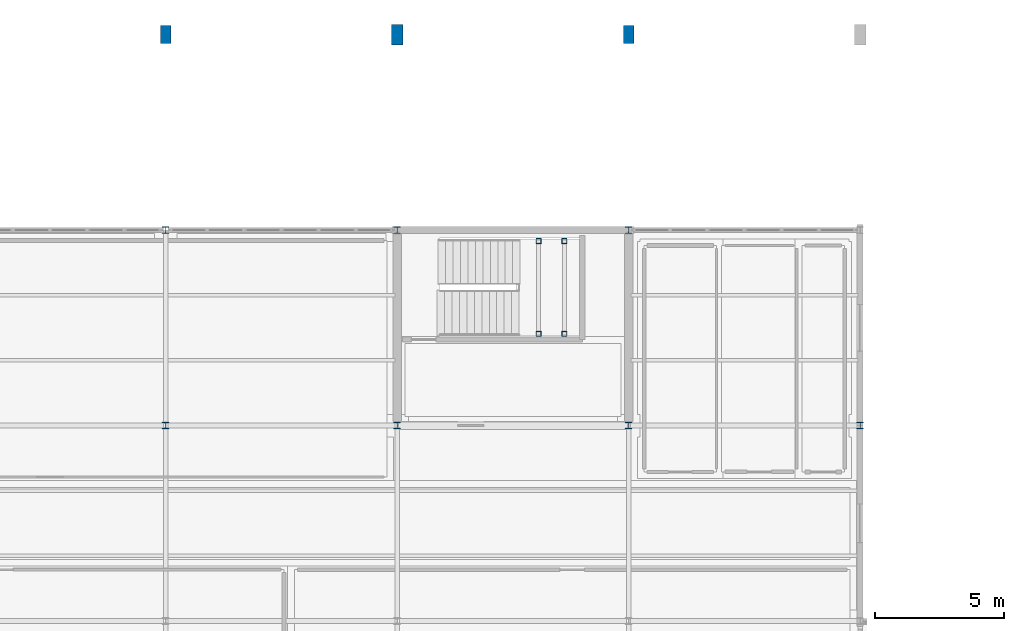
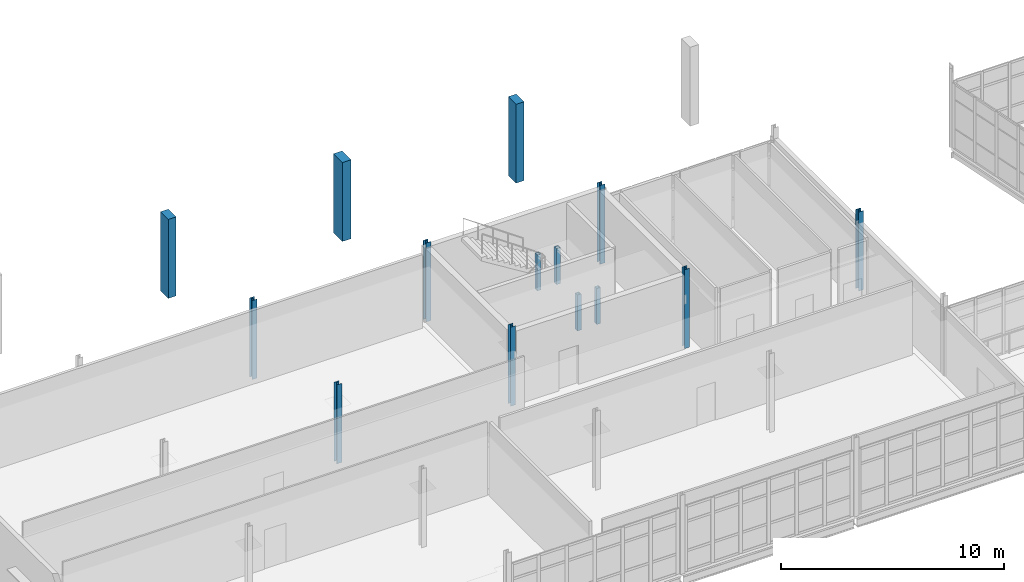
# One storey, part 16 of 166: 14 columns.
"""IFC4 building model written with IfcOpenShell, lengths in metres."""

from ifc_helpers import new_model, si_unit, direction, frame, origin, origin_2d, place, context, subcontext, project, spatial, rectangle, hollow_rectangle, i_section, extrude, material, material_profile, profile_set, type_object, element, save


model = new_model("IFC4")

# Units and contexts
model_context = context("Model", 3, precision=1e-05, world=origin(), true_north=direction((0.0, 1.0)))
body_context = subcontext(model_context, "Body", "Model", "MODEL_VIEW")
ifc_project = project(units=[si_unit("LENGTHUNIT", "METRE"), si_unit("AREAUNIT", "SQUARE_METRE"), si_unit("VOLUMEUNIT", "CUBIC_METRE"), si_unit("PLANEANGLEUNIT", "RADIAN"), si_unit("MASSUNIT", "GRAM", prefix="KILO")], contexts=[model_context])

# Site, building, storey
site_placement = place(None, origin())
site = spatial("IfcSite", under=ifc_project, at=site_placement, CompositionType="ELEMENT")
building_placement = place(site_placement, origin())
building = spatial("IfcBuilding", under=site, at=building_placement, Name="Caisbarro Railhouse Central Library", CompositionType="ELEMENT")
storey_placement = place(building_placement, frame((0.0, 0.0, 9.360107421875)))
storey = spatial("IfcBuildingStorey", under=building, at=storey_placement, Name="L02", CompositionType="ELEMENT", Elevation=9.360107421875)

# Columns
ifc_material_1 = material(Name="Steel ASTM A572 Grade 50", Category="steel")
ifc_material_profile_1 = material_profile(ifc_material_1, i_section(OverallWidth=0.25390625, OverallDepth=0.2529296875, WebThickness=0.008544921875, FlangeThickness=0.01416015625, FilletRadius=0.011962890625, at=origin_2d()), Name="W250X73.0")
ifc_profile_set_1 = profile_set([ifc_material_profile_1], Name="Steel ASTM A572 Grade 50")
column_type_1 = type_object("IfcColumnType", Name="COL-C08", PredefinedType="COLUMN", material=ifc_profile_set_1)
for number, where, z_axis, x_axis, name in (
    (1, (72.0, 98.800048828125, 0.0), (0.0, 0.0, 1.0), (1.0, 0.0, 0.0), "C08 column L02 (72.0,98.8)"),
    (2, (72.0, 106.39990234375, 0.0), (0.0, 0.0, 1.0), (1.0, 0.0, 0.0), "C08 column L02 (72.0,106.4)"),
    (3, (81.0, 98.800048828125, 0.0), (0.0, 0.0, 1.0), (1.0, 0.0, 0.0), "C08 column L02 (81.0,98.8)"),
    (4, (81.0, 106.39990234375, 0.0), (0.0, 0.0, 1.0), (1.0, 0.0, 0.0), "C08 column L02 (81.0,106.4)"),
    (5, (90.0, 98.800048828125, 0.0), (0.0, 0.0, 1.0), (1.0, 0.0, 0.0), "C08 column L02 (90.0,98.8)"),
    (6, (90.0, 106.39990234375, 0.0), (0.0, 0.0, 1.0), (1.0, 0.0, 0.0), "C08 column L02 (90.0,106.4)"),
    (7, (99.0, 98.800048828125, 0.0), (0.0, 0.0, 1.0), (1.0, 0.0, 0.0), "C08 column L02 (99.0,98.8)"),
):
    element("IfcColumn", number, at=place(storey_placement, frame(where, z_axis=z_axis, x_axis=x_axis)), inside=storey, type_object=column_type_1, Name=name, PredefinedType="COLUMN", context=body_context, shape_type="SweptSolid", body=[
        extrude(i_section(OverallWidth=0.25390625, OverallDepth=0.2529296875, WebThickness=0.008544921875, FlangeThickness=0.01416015625, FilletRadius=0.011962890625, at=origin_2d()), origin(), (0.0, 0.0, 1.0), 4.31982421875),
    ])
ifc_material_profile_2 = material_profile(ifc_material_1, hollow_rectangle(XDim=0.199951171875, YDim=0.199951171875, WallThickness=0.012451171875, at=origin_2d()), Name="HSS200X200X12.5")
ifc_profile_set_2 = profile_set([ifc_material_profile_2], Name="Steel ASTM A572 Grade 50")
column_type_2 = type_object("IfcColumnType", Name="COL-C10", PredefinedType="COLUMN", material=ifc_profile_set_2)
for number, where, z_axis, x_axis, name in (
    (8, (86.5, 102.3701171875, 0.0), (0.0, 0.0, 1.0), (1.0, 0.0, 0.0), "C10 Stair Landing Post K5 L02.1"),
    (9, (86.5, 105.97998046875, 0.0), (0.0, 0.0, 1.0), (1.0, 0.0, 0.0), "C10 Stair Landing Post K5 L02.2"),
    (10, (87.5, 102.3701171875, 0.0), (0.0, 0.0, 1.0), (1.0, 0.0, 0.0), "C10 Stair Landing Post K5 L02.3"),
    (11, (87.5, 105.97998046875, 0.0), (0.0, 0.0, 1.0), (1.0, 0.0, 0.0), "C10 Stair Landing Post K5 L02.4"),
):
    element("IfcColumn", number, at=place(storey_placement, frame(where, z_axis=z_axis, x_axis=x_axis)), inside=storey, type_object=column_type_2, Name=name, PredefinedType="COLUMN", context=body_context, shape_type="SweptSolid", body=[
        extrude(hollow_rectangle(XDim=0.199951171875, YDim=0.199951171875, WallThickness=0.012451171875, at=origin_2d()), origin(), (0.0, 0.0, 1.0), 1.969970703125),
    ])
ifc_material_2 = material(Name="Concrete C40", Category="concrete")
ifc_material_profile_3 = material_profile(ifc_material_2, rectangle(XDim=0.449951171875, YDim=0.800048828125, at=origin_2d()), Name="RC-PIL-450X800")
ifc_profile_set_3 = profile_set([ifc_material_profile_3], Name="Concrete C40")
column_type_3 = type_object("IfcColumnType", Name="PIL-P01", PredefinedType="PILASTER", material=ifc_profile_set_3)
column_placement = place(storey_placement, frame((81.0, 114.0, 0.0), z_axis=(0.0, 0.0, 1.0), x_axis=(1.0, 0.0, 0.0)))
element("IfcColumn", 12, at=column_placement, inside=storey, type_object=column_type_3, Name="PL01 column L02 (81.0,114.0)", PredefinedType="PILASTER", context=body_context, shape_type="SweptSolid", body=[
    extrude(rectangle(XDim=0.449951171875, YDim=0.800048828125, at=origin_2d()), origin(), (0.0, 0.0, 1.0), 4.31982421875),
])
ifc_material_profile_4 = material_profile(ifc_material_2, rectangle(XDim=0.39990234375, YDim=0.699951171875, at=origin_2d()), Name="RC-PIL-400X700")
ifc_profile_set_4 = profile_set([ifc_material_profile_4], Name="Concrete C40")
column_type_4 = type_object("IfcColumnType", Name="PIL-P02", PredefinedType="PILASTER", material=ifc_profile_set_4)
for number, where, z_axis, x_axis, name in (
    (13, (72.0, 114.0, 0.0), (0.0, 0.0, 1.0), (1.0, 0.0, 0.0), "PL02 column L02 (72.0,114.0)"),
    (14, (90.0, 114.0, 0.0), (0.0, 0.0, 1.0), (1.0, 0.0, 0.0), "PL02 column L02 (90.0,114.0)"),
):
    element("IfcColumn", number, at=place(storey_placement, frame(where, z_axis=z_axis, x_axis=x_axis)), inside=storey, type_object=column_type_4, Name=name, PredefinedType="PILASTER", context=body_context, shape_type="SweptSolid", body=[
        extrude(rectangle(XDim=0.39990234375, YDim=0.699951171875, at=origin_2d()), origin(), (0.0, 0.0, 1.0), 4.31982421875),
    ])

save(model, "model.ifc")
